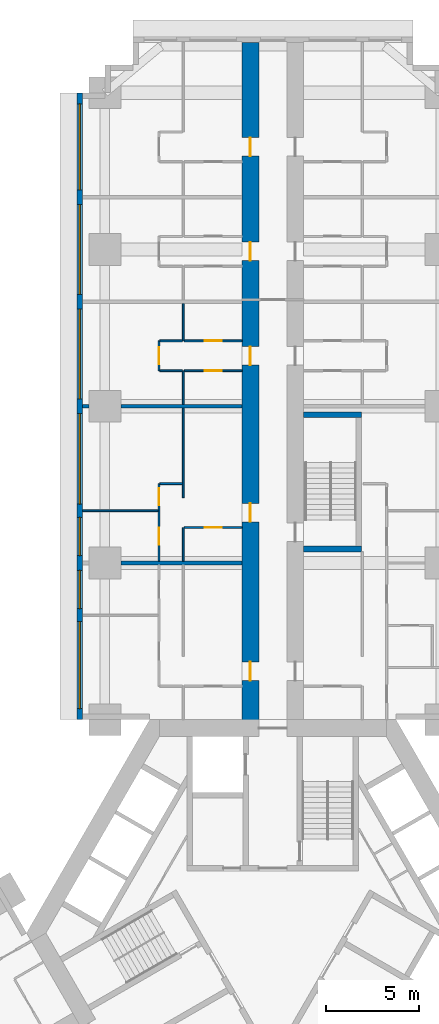
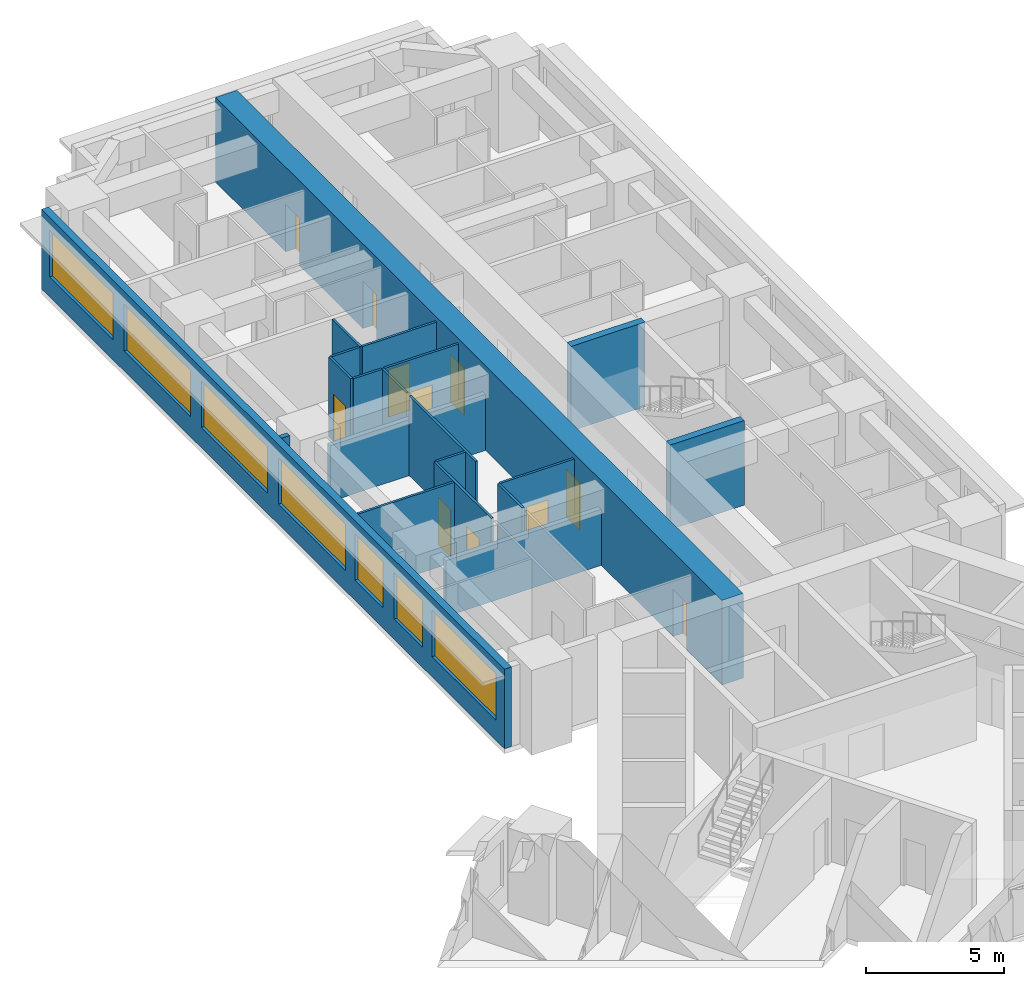
# One storey, part 9 of 16: 20 walls, 11 doors, 7 windows, 18 openings.
"""IFC4 building model written with IfcOpenShell, lengths in metres."""

from ifc_helpers import new_model, si_unit, direction, frame, frame_2d, origin, place, context, subcontext, project, spatial, rectangle, extrude, material, layer, layer_set, type_object, element, fill, save


model = new_model("IFC4")

# Units and contexts
model_context = context("Model", 3, precision=1e-05, world=origin(), true_north=direction((0.0, 1.0)))
body_context = subcontext(model_context, "Body", "Model", "MODEL_VIEW")
ifc_project = project(units=[si_unit("LENGTHUNIT", "METRE"), si_unit("AREAUNIT", "SQUARE_METRE"), si_unit("VOLUMEUNIT", "CUBIC_METRE"), si_unit("PLANEANGLEUNIT", "RADIAN"), si_unit("MASSUNIT", "GRAM", prefix="KILO")], contexts=[model_context])

# Site, building, storey
site_placement = place(None, origin())
site = spatial("IfcSite", under=ifc_project, at=site_placement, CompositionType="ELEMENT")
building_placement = place(site_placement, origin())
building = spatial("IfcBuilding", under=site, at=building_placement, Name="Impinga Residences", CompositionType="ELEMENT")
storey_placement = place(building_placement, frame((0.0, 0.0, 48.5)))
storey = spatial("IfcBuildingStorey", under=building, at=storey_placement, Name="L11", CompositionType="ELEMENT", Elevation=48.5)

# Wall, openings, doors
ifc_material_1 = material(Name="Concrete C70/85", Category="concrete")
ifc_layer_1 = layer(ifc_material_1, 0.89990234375)
ifc_layer_set_1 = layer_set([ifc_layer_1], Name="Concrete C70/85")
wall_type_1 = type_object("IfcWallType", Name="BW1 corridor buttress wall, L05 to L22 900", PredefinedType="SHEAR", material=ifc_layer_set_1)
wall_1_placement = place(storey_placement, frame((-1.199951171875, 10.9814453125, 0.0), z_axis=(0.0, 0.0, 1.0), x_axis=(0.0, 1.0, 0.0)))
wall_1 = element("IfcWall", 1, at=wall_1_placement, inside=storey, type_object=wall_type_1, Name="Corridor wall BW1 NC L11", PredefinedType="SHEAR", context=body_context, shape_type="SweptSolid", body=[
    extrude(rectangle(XDim=36.75, YDim=0.89990234375, at=frame_2d((18.375, 0.0))), origin(), (0.0, 0.0, 1.0), 3.75),
])
opening_1_placement = place(wall_1_placement, frame((2.550048828125, 0.0, 0.0)))
opening_1 = element("IfcOpeningElement", 2, at=opening_1_placement, cuts=wall_1, Name="Opening D1", PredefinedType="OPENING", context=body_context, shape_type="SweptSolid", body=[
    extrude(rectangle(XDim=1.0, YDim=2.10009765625, at=frame_2d((0.5, 1.050048828125))), frame((0.0, 0.4599609375, 0.0), z_axis=(0.0, -1.0, 0.0), x_axis=(1.0, 0.0, 0.0)), (0.0, 0.0, 1.0), 0.919921875),
])
opening_2_placement = place(wall_1_placement, frame((11.050048828125, 0.0, 0.0)))
opening_2 = element("IfcOpeningElement", 3, at=opening_2_placement, cuts=wall_1, Name="Opening D1", PredefinedType="OPENING", context=body_context, shape_type="SweptSolid", body=[
    extrude(rectangle(XDim=1.0, YDim=2.10009765625, at=frame_2d((0.5, 1.050048828125))), frame((0.0, 0.4599609375, 0.0), z_axis=(0.0, -1.0, 0.0), x_axis=(1.0, 0.0, 0.0)), (0.0, 0.0, 1.0), 0.919921875),
])
opening_3_placement = place(wall_1_placement, frame((19.449951171875, 0.0, 0.0)))
opening_3 = element("IfcOpeningElement", 4, at=opening_3_placement, cuts=wall_1, Name="Opening D1", PredefinedType="OPENING", context=body_context, shape_type="SweptSolid", body=[
    extrude(rectangle(XDim=1.0, YDim=2.10009765625, at=frame_2d((0.5, 1.050048828125))), frame((0.0, 0.4599609375, 0.0), z_axis=(0.0, -1.0, 0.0), x_axis=(1.0, 0.0, 0.0)), (0.0, 0.0, 1.0), 0.919921875),
])
opening_4_placement = place(wall_1_placement, frame((25.050048828125, 0.0, 0.0)))
opening_4 = element("IfcOpeningElement", 5, at=opening_4_placement, cuts=wall_1, Name="Opening D1", PredefinedType="OPENING", context=body_context, shape_type="SweptSolid", body=[
    extrude(rectangle(XDim=1.0, YDim=2.10009765625, at=frame_2d((0.5, 1.050048828125))), frame((0.0, 0.4599609375, 0.0), z_axis=(0.0, -1.0, 0.0), x_axis=(1.0, 0.0, 0.0)), (0.0, 0.0, 1.0), 0.919921875),
])
opening_5_placement = place(wall_1_placement, frame((30.64990234375, 0.0, 0.0)))
opening_5 = element("IfcOpeningElement", 6, at=opening_5_placement, cuts=wall_1, Name="Opening D1", PredefinedType="OPENING", context=body_context, shape_type="SweptSolid", body=[
    extrude(rectangle(XDim=1.0, YDim=2.10009765625, at=frame_2d((0.5, 1.050048828125))), frame((0.0, 0.4599609375, 0.0), z_axis=(0.0, -1.0, 0.0), x_axis=(1.0, 0.0, 0.0)), (0.0, 0.0, 1.0), 0.919921875),
])
ifc_material_2 = material(Name="Timber door set", Category="wood")
door_type_1 = type_object("IfcDoorType", Name="D1 apartment entrance door 1000x2100", OperationType="SINGLE_SWING_LEFT", PredefinedType="DOOR", material=ifc_material_2)
door_1_placement = place(opening_1_placement, origin())
door_1 = element("IfcDoor", 7, at=door_1_placement, inside=storey, type_object=door_type_1, Name="Apartment L11-NA1 entrance", OperationType="SINGLE_SWING_LEFT", OverallHeight=2.10009765625, OverallWidth=1.0, PredefinedType="DOOR", context=body_context, shape_type="SweptSolid", body=[
    extrude(rectangle(XDim=1.0, YDim=2.10009765625, at=frame_2d((0.5, 1.050048828125))), frame((0.0, 0.02490234375, 0.0), z_axis=(0.0, -1.0, 0.0), x_axis=(1.0, 0.0, 0.0)), (0.0, 0.0, 1.0), 0.050048828125),
])
fill(opening_1, door_1)
door_2_placement = place(opening_2_placement, origin())
door_2 = element("IfcDoor", 8, at=door_2_placement, inside=storey, type_object=door_type_1, Name="Apartment L11-NA2 entrance", OperationType="SINGLE_SWING_LEFT", OverallHeight=2.10009765625, OverallWidth=1.0, PredefinedType="DOOR", context=body_context, shape_type="SweptSolid", body=[
    extrude(rectangle(XDim=1.0, YDim=2.10009765625, at=frame_2d((0.5, 1.050048828125))), frame((0.0, 0.02490234375, 0.0), z_axis=(0.0, -1.0, 0.0), x_axis=(1.0, 0.0, 0.0)), (0.0, 0.0, 1.0), 0.050048828125),
])
fill(opening_2, door_2)
door_3_placement = place(opening_3_placement, origin())
door_3 = element("IfcDoor", 9, at=door_3_placement, inside=storey, type_object=door_type_1, Name="Apartment L11-NA3 entrance", OperationType="SINGLE_SWING_RIGHT", OverallHeight=2.10009765625, OverallWidth=1.0, PredefinedType="DOOR", context=body_context, shape_type="SweptSolid", body=[
    extrude(rectangle(XDim=1.0, YDim=2.10009765625, at=frame_2d((0.5, 1.050048828125))), frame((0.0, 0.02490234375, 0.0), z_axis=(0.0, -1.0, 0.0), x_axis=(1.0, 0.0, 0.0)), (0.0, 0.0, 1.0), 0.050048828125),
])
fill(opening_3, door_3)
door_4_placement = place(opening_4_placement, origin())
door_4 = element("IfcDoor", 10, at=door_4_placement, inside=storey, type_object=door_type_1, Name="Apartment L11-NA4 entrance", OperationType="SINGLE_SWING_RIGHT", OverallHeight=2.10009765625, OverallWidth=1.0, PredefinedType="DOOR", context=body_context, shape_type="SweptSolid", body=[
    extrude(rectangle(XDim=1.0, YDim=2.10009765625, at=frame_2d((0.5, 1.050048828125))), frame((0.0, 0.02490234375, 0.0), z_axis=(0.0, -1.0, 0.0), x_axis=(1.0, 0.0, 0.0)), (0.0, 0.0, 1.0), 0.050048828125),
])
fill(opening_4, door_4)
door_5_placement = place(opening_5_placement, origin())
door_5 = element("IfcDoor", 11, at=door_5_placement, inside=storey, type_object=door_type_1, Name="Apartment L11-NA5 entrance", OperationType="SINGLE_SWING_RIGHT", OverallHeight=2.10009765625, OverallWidth=1.0, PredefinedType="DOOR", context=body_context, shape_type="SweptSolid", body=[
    extrude(rectangle(XDim=1.0, YDim=2.10009765625, at=frame_2d((0.5, 1.050048828125))), frame((0.0, 0.02490234375, 0.0), z_axis=(0.0, -1.0, 0.0), x_axis=(1.0, 0.0, 0.0)), (0.0, 0.0, 1.0), 0.050048828125),
])
fill(opening_5, door_5)

# Wall, openings, windows
ifc_material_3 = material(Name="Terracotta rainscreen on blockwork", Category="masonry")
ifc_layer_2 = layer(ifc_material_3, 0.300048828125)
ifc_layer_set_2 = layer_set([ifc_layer_2], Name="EW1 external wall, terracotta rainscreen on blockwork 300")
wall_type_2 = type_object("IfcWallType", Name="EW1 external wall, terracotta rainscreen on blockwork 300", PredefinedType="SOLIDWALL", material=ifc_layer_set_2)
wall_2_placement = place(storey_placement, frame((-10.35009765625, 11.431640625, 0.0), z_axis=(0.0, 0.0, 1.0), x_axis=(0.0, 1.0, 0.0)))
wall_2 = element("IfcWall", 12, at=wall_2_placement, inside=storey, type_object=wall_type_2, Name="External wall EW1 L11", PredefinedType="SOLIDWALL", context=body_context, shape_type="SweptSolid", body=[
    extrude(rectangle(XDim=33.599853515625, YDim=0.300048828125, at=frame_2d((16.7998046875, 0.0))), origin(), (0.0, 0.0, 1.0), 3.530029296875),
])
opening_6_placement = place(wall_2_placement, frame((0.60009765625, 0.0, 0.89990234375)))
opening_6 = element("IfcOpeningElement", 13, at=opening_6_placement, cuts=wall_2, Name="Opening W10", PredefinedType="OPENING", context=body_context, shape_type="SweptSolid", body=[
    extrude(rectangle(XDim=4.64990234375, YDim=2.050048828125, at=frame_2d((2.324951171875, 1.02490234375))), frame((0.0, 0.159912109375, 0.0), z_axis=(0.0, -1.0, 0.0), x_axis=(1.0, 0.0, 0.0)), (0.0, 0.0, 1.0), 0.320068359375),
])
opening_7_placement = place(wall_2_placement, frame((5.949951171875, 0.0, 0.89990234375)))
opening_7 = element("IfcOpeningElement", 14, at=opening_7_placement, cuts=wall_2, Name="Opening W14", PredefinedType="OPENING", context=body_context, shape_type="SweptSolid", body=[
    extrude(rectangle(XDim=2.050048828125, YDim=2.050048828125, at=frame_2d((1.02490234375, 1.02490234375))), frame((0.0, 0.159912109375, 0.0), z_axis=(0.0, -1.0, 0.0), x_axis=(1.0, 0.0, 0.0)), (0.0, 0.0, 1.0), 0.320068359375),
])
opening_8_placement = place(wall_2_placement, frame((8.800048828125, 0.0, 0.89990234375)))
opening_8 = element("IfcOpeningElement", 15, at=opening_8_placement, cuts=wall_2, Name="Opening W14", PredefinedType="OPENING", context=body_context, shape_type="SweptSolid", body=[
    extrude(rectangle(XDim=2.050048828125, YDim=2.050048828125, at=frame_2d((1.02490234375, 1.02490234375))), frame((0.0, 0.159912109375, 0.0), z_axis=(0.0, -1.0, 0.0), x_axis=(1.0, 0.0, 0.0)), (0.0, 0.0, 1.0), 0.320068359375),
])
opening_9_placement = place(wall_2_placement, frame((11.550048828125, 0.0, 0.89990234375)))
opening_9 = element("IfcOpeningElement", 16, at=opening_9_placement, cuts=wall_2, Name="Opening W6", PredefinedType="OPENING", context=body_context, shape_type="SweptSolid", body=[
    extrude(rectangle(XDim=4.85009765625, YDim=2.050048828125, at=frame_2d((2.425048828125, 1.02490234375))), frame((0.0, 0.159912109375, 0.0), z_axis=(0.0, -1.0, 0.0), x_axis=(1.0, 0.0, 0.0)), (0.0, 0.0, 1.0), 0.320068359375),
])
opening_10_placement = place(wall_2_placement, frame((17.199951171875, 0.0, 0.89990234375)))
opening_10 = element("IfcOpeningElement", 17, at=opening_10_placement, cuts=wall_2, Name="Opening W8", PredefinedType="OPENING", context=body_context, shape_type="SweptSolid", body=[
    extrude(rectangle(XDim=4.800048828125, YDim=2.050048828125, at=frame_2d((2.39990234375, 1.02490234375))), frame((0.0, 0.159912109375, 0.0), z_axis=(0.0, -1.0, 0.0), x_axis=(1.0, 0.0, 0.0)), (0.0, 0.0, 1.0), 0.320068359375),
])
opening_11_placement = place(wall_2_placement, frame((22.800048828125, 0.0, 0.89990234375)))
opening_11 = element("IfcOpeningElement", 18, at=opening_11_placement, cuts=wall_2, Name="Opening W8", PredefinedType="OPENING", context=body_context, shape_type="SweptSolid", body=[
    extrude(rectangle(XDim=4.800048828125, YDim=2.050048828125, at=frame_2d((2.39990234375, 1.02490234375))), frame((0.0, 0.159912109375, 0.0), z_axis=(0.0, -1.0, 0.0), x_axis=(1.0, 0.0, 0.0)), (0.0, 0.0, 1.0), 0.320068359375),
])
opening_12_placement = place(wall_2_placement, frame((28.39990234375, 0.0, 0.89990234375)))
opening_12 = element("IfcOpeningElement", 19, at=opening_12_placement, cuts=wall_2, Name="Opening W3", PredefinedType="OPENING", context=body_context, shape_type="SweptSolid", body=[
    extrude(rectangle(XDim=4.60009765625, YDim=2.050048828125, at=frame_2d((2.300048828125, 1.02490234375))), frame((0.0, 0.159912109375, 0.0), z_axis=(0.0, -1.0, 0.0), x_axis=(1.0, 0.0, 0.0)), (0.0, 0.0, 1.0), 0.320068359375),
])
ifc_material_4 = material(Name="Aluminium window, clear double glazing", Category="aluminium")
window_type_1 = type_object("IfcWindowType", Name="W10 ribbon window 4650x2050", PartitioningType="SINGLE_PANEL", PredefinedType="WINDOW", material=ifc_material_4)
window_1_placement = place(opening_6_placement, origin())
window_1 = element("IfcWindow", 20, at=window_1_placement, inside=storey, type_object=window_type_1, Name="Window L11", OverallHeight=2.050048828125, OverallWidth=4.64990234375, PartitioningType="SINGLE_PANEL", PredefinedType="WINDOW", context=body_context, shape_type="SweptSolid", body=[
    extrude(rectangle(XDim=4.64990234375, YDim=2.050048828125, at=frame_2d((2.324951171875, 1.02490234375))), frame((0.0, 0.030029296875, 0.0), z_axis=(0.0, -1.0, 0.0), x_axis=(1.0, 0.0, 0.0)), (0.0, 0.0, 1.0), 0.06005859375),
])
fill(opening_6, window_1)
window_type_2 = type_object("IfcWindowType", Name="W14 ribbon window 2050x2050", PartitioningType="SINGLE_PANEL", PredefinedType="WINDOW", material=ifc_material_4)
window_2_placement = place(opening_7_placement, origin())
window_2 = element("IfcWindow", 21, at=window_2_placement, inside=storey, type_object=window_type_2, Name="Window L11", OverallHeight=2.050048828125, OverallWidth=2.050048828125, PartitioningType="SINGLE_PANEL", PredefinedType="WINDOW", context=body_context, shape_type="SweptSolid", body=[
    extrude(rectangle(XDim=2.050048828125, YDim=2.050048828125, at=frame_2d((1.02490234375, 1.02490234375))), frame((0.0, 0.030029296875, 0.0), z_axis=(0.0, -1.0, 0.0), x_axis=(1.0, 0.0, 0.0)), (0.0, 0.0, 1.0), 0.06005859375),
])
fill(opening_7, window_2)
window_3_placement = place(opening_8_placement, origin())
window_3 = element("IfcWindow", 22, at=window_3_placement, inside=storey, type_object=window_type_2, Name="Window L11", OverallHeight=2.050048828125, OverallWidth=2.050048828125, PartitioningType="SINGLE_PANEL", PredefinedType="WINDOW", context=body_context, shape_type="SweptSolid", body=[
    extrude(rectangle(XDim=2.050048828125, YDim=2.050048828125, at=frame_2d((1.02490234375, 1.02490234375))), frame((0.0, 0.030029296875, 0.0), z_axis=(0.0, -1.0, 0.0), x_axis=(1.0, 0.0, 0.0)), (0.0, 0.0, 1.0), 0.06005859375),
])
fill(opening_8, window_3)
window_type_3 = type_object("IfcWindowType", Name="W3 ribbon window 4600x2050", PartitioningType="SINGLE_PANEL", PredefinedType="WINDOW", material=ifc_material_4)
window_4_placement = place(opening_12_placement, origin())
window_4 = element("IfcWindow", 23, at=window_4_placement, inside=storey, type_object=window_type_3, Name="Window L11", OverallHeight=2.050048828125, OverallWidth=4.60009765625, PartitioningType="SINGLE_PANEL", PredefinedType="WINDOW", context=body_context, shape_type="SweptSolid", body=[
    extrude(rectangle(XDim=4.60009765625, YDim=2.050048828125, at=frame_2d((2.300048828125, 1.02490234375))), frame((0.0, 0.030029296875, 0.0), z_axis=(0.0, -1.0, 0.0), x_axis=(1.0, 0.0, 0.0)), (0.0, 0.0, 1.0), 0.06005859375),
])
fill(opening_12, window_4)
window_type_4 = type_object("IfcWindowType", Name="W6 ribbon window 4850x2050", PartitioningType="SINGLE_PANEL", PredefinedType="WINDOW", material=ifc_material_4)
window_5_placement = place(opening_9_placement, origin())
window_5 = element("IfcWindow", 24, at=window_5_placement, inside=storey, type_object=window_type_4, Name="Window L11", OverallHeight=2.050048828125, OverallWidth=4.85009765625, PartitioningType="SINGLE_PANEL", PredefinedType="WINDOW", context=body_context, shape_type="SweptSolid", body=[
    extrude(rectangle(XDim=4.85009765625, YDim=2.050048828125, at=frame_2d((2.425048828125, 1.02490234375))), frame((0.0, 0.030029296875, 0.0), z_axis=(0.0, -1.0, 0.0), x_axis=(1.0, 0.0, 0.0)), (0.0, 0.0, 1.0), 0.06005859375),
])
fill(opening_9, window_5)
window_type_5 = type_object("IfcWindowType", Name="W8 ribbon window 4800x2050", PartitioningType="SINGLE_PANEL", PredefinedType="WINDOW", material=ifc_material_4)
window_6_placement = place(opening_10_placement, origin())
window_6 = element("IfcWindow", 25, at=window_6_placement, inside=storey, type_object=window_type_5, Name="Window L11", OverallHeight=2.050048828125, OverallWidth=4.800048828125, PartitioningType="SINGLE_PANEL", PredefinedType="WINDOW", context=body_context, shape_type="SweptSolid", body=[
    extrude(rectangle(XDim=4.800048828125, YDim=2.050048828125, at=frame_2d((2.39990234375, 1.02490234375))), frame((0.0, 0.030029296875, 0.0), z_axis=(0.0, -1.0, 0.0), x_axis=(1.0, 0.0, 0.0)), (0.0, 0.0, 1.0), 0.06005859375),
])
fill(opening_10, window_6)
window_7_placement = place(opening_11_placement, origin())
window_7 = element("IfcWindow", 26, at=window_7_placement, inside=storey, type_object=window_type_5, Name="Window L11", OverallHeight=2.050048828125, OverallWidth=4.800048828125, PartitioningType="SINGLE_PANEL", PredefinedType="WINDOW", context=body_context, shape_type="SweptSolid", body=[
    extrude(rectangle(XDim=4.800048828125, YDim=2.050048828125, at=frame_2d((2.39990234375, 1.02490234375))), frame((0.0, 0.030029296875, 0.0), z_axis=(0.0, -1.0, 0.0), x_axis=(1.0, 0.0, 0.0)), (0.0, 0.0, 1.0), 0.06005859375),
])
fill(opening_11, window_7)

# Walls
ifc_material_5 = material(Name="Gypsum board on steel studs", Category="steel")
ifc_layer_3 = layer(ifc_material_5, 0.10009765625)
ifc_layer_set_3 = layer_set([ifc_layer_3], Name="Gypsum board on steel studs")
wall_type_3 = type_object("IfcWallType", Name="IP1 partition 100", PredefinedType="PARTITIONING", material=ifc_layer_set_3)
wall_3_placement = place(storey_placement, frame((-4.800048828125, 19.931640625, 0.0), z_axis=(0.0, 0.0, 1.0), x_axis=(0.0, 1.0, 0.0)))
element("IfcWall", 27, at=wall_3_placement, inside=storey, type_object=wall_type_3, Name="Partition L11-NA2:DIV0", PredefinedType="PARTITIONING", context=body_context, shape_type="SweptSolid", body=[
    extrude(rectangle(XDim=1.7998046875, YDim=0.10009765625, at=frame_2d((0.89990234375, 0.0))), origin(), (0.0, 0.0, 1.0), 3.530029296875),
])
wall_4_placement = place(storey_placement, frame((-4.800048828125, 23.33154296875, 0.0), z_axis=(0.0, 0.0, 1.0), x_axis=(0.0, 1.0, 0.0)))
element("IfcWall", 28, at=wall_4_placement, inside=storey, type_object=wall_type_3, Name="Partition L11-NA2:DIV1", PredefinedType="PARTITIONING", context=body_context, shape_type="SweptSolid", body=[
    extrude(rectangle(XDim=4.800048828125, YDim=0.10009765625, at=frame_2d((2.39990234375, 0.0))), origin(), (0.0, 0.0, 1.0), 3.530029296875),
])

# Wall, openings, doors
wall_5_placement = place(storey_placement, frame((-6.10009765625, 19.931640625, 0.0), z_axis=(0.0, 0.0, 1.0), x_axis=(0.0, 1.0, 0.0)))
wall_5 = element("IfcWall", 29, at=wall_5_placement, inside=storey, type_object=wall_type_3, Name="Partition L11-NA2:STRIP", PredefinedType="PARTITIONING", context=body_context, shape_type="SweptSolid", body=[
    extrude(rectangle(XDim=4.14990234375, YDim=0.10009765625, at=frame_2d((2.074951171875, 0.0))), origin(), (0.0, 0.0, 1.0), 3.530029296875),
])
opening_13_placement = place(wall_5_placement, frame((0.875, 0.0, 0.0)))
opening_13 = element("IfcOpeningElement", 30, at=opening_13_placement, cuts=wall_5, Name="Opening D2", PredefinedType="OPENING", context=body_context, shape_type="SweptSolid", body=[
    extrude(rectangle(XDim=0.89990234375, YDim=2.10009765625, at=frame_2d((0.449951171875, 1.050048828125))), frame((0.0, 0.06005859375, 0.0), z_axis=(0.0, -1.0, 0.0), x_axis=(1.0, 0.0, 0.0)), (0.0, 0.0, 1.0), 0.1201171875),
])
opening_14_placement = place(wall_5_placement, frame((3.0, 0.0, 0.0)))
opening_14 = element("IfcOpeningElement", 31, at=opening_14_placement, cuts=wall_5, Name="Opening D2", PredefinedType="OPENING", context=body_context, shape_type="SweptSolid", body=[
    extrude(rectangle(XDim=0.89990234375, YDim=2.10009765625, at=frame_2d((0.449951171875, 1.050048828125))), frame((0.0, 0.06005859375, 0.0), z_axis=(0.0, -1.0, 0.0), x_axis=(1.0, 0.0, 0.0)), (0.0, 0.0, 1.0), 0.1201171875),
])
door_type_2 = type_object("IfcDoorType", Name="D2 internal door 900x2100", OperationType="SINGLE_SWING_LEFT", PredefinedType="DOOR", material=ifc_material_2)
door_6_placement = place(opening_13_placement, origin())
door_6 = element("IfcDoor", 32, at=door_6_placement, inside=storey, type_object=door_type_2, Name="Apartment L11-NA2 room door", OperationType="SINGLE_SWING_LEFT", OverallHeight=2.10009765625, OverallWidth=0.89990234375, PredefinedType="DOOR", context=body_context, shape_type="SweptSolid", body=[
    extrude(rectangle(XDim=0.89990234375, YDim=2.10009765625, at=frame_2d((0.449951171875, 1.050048828125))), frame((0.0, 0.02490234375, 0.0), z_axis=(0.0, -1.0, 0.0), x_axis=(1.0, 0.0, 0.0)), (0.0, 0.0, 1.0), 0.050048828125),
])
fill(opening_13, door_6)
door_7_placement = place(opening_14_placement, origin())
door_7 = element("IfcDoor", 33, at=door_7_placement, inside=storey, type_object=door_type_2, Name="Apartment L11-NA2 room door", OperationType="SINGLE_SWING_RIGHT", OverallHeight=2.10009765625, OverallWidth=0.89990234375, PredefinedType="DOOR", context=body_context, shape_type="SweptSolid", body=[
    extrude(rectangle(XDim=0.89990234375, YDim=2.10009765625, at=frame_2d((0.449951171875, 1.050048828125))), frame((0.0, 0.02490234375, 0.0), z_axis=(0.0, -1.0, 0.0), x_axis=(1.0, 0.0, 0.0)), (0.0, 0.0, 1.0), 0.050048828125),
])
fill(opening_14, door_7)

# Wall
wall_6_placement = place(storey_placement, frame((-4.85009765625, 24.08154296875, 0.0), z_axis=(0.0, 0.0, 1.0), x_axis=(-1.0, 0.0, 0.0)))
element("IfcWall", 34, at=wall_6_placement, inside=storey, type_object=wall_type_3, Name="Partition L11-NA2:SE1", PredefinedType="PARTITIONING", context=body_context, shape_type="SweptSolid", body=[
    extrude(rectangle(XDim=1.199951171875, YDim=0.10009765625, at=frame_2d((0.60009765625, 0.0))), origin(), (0.0, 0.0, 1.0), 3.530029296875),
])

# Wall, opening, door
wall_7_placement = place(storey_placement, frame((-1.64990234375, 21.7314453125, 0.0), z_axis=(0.0, 0.0, 1.0), x_axis=(-1.0, 0.0, 0.0)))
wall_7 = element("IfcWall", 35, at=wall_7_placement, inside=storey, type_object=wall_type_3, Name="Partition L11-NA2:IB1", PredefinedType="PARTITIONING", context=body_context, shape_type="SweptSolid", body=[
    extrude(rectangle(XDim=3.10009765625, YDim=0.10009765625, at=frame_2d((1.550048828125, 0.0))), origin(), (0.0, 0.0, 1.0), 3.530029296875),
])
opening_15_placement = place(wall_7_placement, frame((1.10009765625, 0.0, 0.0)))
opening_15 = element("IfcOpeningElement", 36, at=opening_15_placement, cuts=wall_7, Name="Opening D2", PredefinedType="OPENING", context=body_context, shape_type="SweptSolid", body=[
    extrude(rectangle(XDim=0.89990234375, YDim=2.10009765625, at=frame_2d((0.449951171875, 1.050048828125))), frame((0.0, 0.06005859375, 0.0), z_axis=(0.0, -1.0, 0.0), x_axis=(1.0, 0.0, 0.0)), (0.0, 0.0, 1.0), 0.1201171875),
])
door_8_placement = place(opening_15_placement, origin())
door_8 = element("IfcDoor", 37, at=door_8_placement, inside=storey, type_object=door_type_2, Name="Apartment L11-NA2 bathroom door", OperationType="SINGLE_SWING_LEFT", OverallHeight=2.10009765625, OverallWidth=0.89990234375, PredefinedType="DOOR", context=body_context, shape_type="SweptSolid", body=[
    extrude(rectangle(XDim=0.89990234375, YDim=2.10009765625, at=frame_2d((0.449951171875, 1.050048828125))), frame((0.0, 0.02490234375, 0.0), z_axis=(0.0, -1.0, 0.0), x_axis=(1.0, 0.0, 0.0)), (0.0, 0.0, 1.0), 0.050048828125),
])
fill(opening_15, door_8)

# Walls
wall_8_placement = place(storey_placement, frame((-6.14990234375, 22.631591796875, 0.0), z_axis=(0.0, 0.0, 1.0), x_axis=(-1.0, 0.0, 0.0)))
element("IfcWall", 38, at=wall_8_placement, inside=storey, type_object=wall_type_3, Name="Partition L11-NA2:OB1", PredefinedType="PARTITIONING", context=body_context, shape_type="SweptSolid", body=[
    extrude(rectangle(XDim=4.050048828125, YDim=0.10009765625, at=frame_2d((2.02490234375, 0.0))), origin(), (0.0, 0.0, 1.0), 3.530029296875),
])
wall_9_placement = place(storey_placement, frame((-4.800048828125, 28.33154296875, 0.0), z_axis=(0.0, 0.0, 1.0), x_axis=(0.0, 1.0, 0.0)))
element("IfcWall", 39, at=wall_9_placement, inside=storey, type_object=wall_type_3, Name="Partition L11-NA3:DIV0", PredefinedType="PARTITIONING", context=body_context, shape_type="SweptSolid", body=[
    extrude(rectangle(XDim=1.800048828125, YDim=0.10009765625, at=frame_2d((0.89990234375, 0.0))), origin(), (0.0, 0.0, 1.0), 3.530029296875),
])
wall_10_placement = place(storey_placement, frame((-4.800048828125, 31.7314453125, 0.0), z_axis=(0.0, 0.0, 1.0), x_axis=(0.0, 1.0, 0.0)))
element("IfcWall", 40, at=wall_10_placement, inside=storey, type_object=wall_type_3, Name="Partition L11-NA3:DIV1", PredefinedType="PARTITIONING", context=body_context, shape_type="SweptSolid", body=[
    extrude(rectangle(XDim=2.0, YDim=0.10009765625, at=frame_2d((1.0, 0.0))), origin(), (0.0, 0.0, 1.0), 3.530029296875),
])

# Wall, opening, door
wall_11_placement = place(storey_placement, frame((-6.10009765625, 30.131591796875, 0.0), z_axis=(0.0, 0.0, 1.0), x_axis=(0.0, 1.0, 0.0)))
wall_11 = element("IfcWall", 41, at=wall_11_placement, inside=storey, type_object=wall_type_3, Name="Partition L11-NA3:STRIP", PredefinedType="PARTITIONING", context=body_context, shape_type="SweptSolid", body=[
    extrude(rectangle(XDim=1.599853515625, YDim=0.10009765625, at=frame_2d((0.7998046875, 0.0))), origin(), (0.0, 0.0, 1.0), 3.530029296875),
])
opening_16_placement = place(wall_11_placement, frame((0.35009765625, 0.0, 0.0)))
opening_16 = element("IfcOpeningElement", 42, at=opening_16_placement, cuts=wall_11, Name="Opening D2", PredefinedType="OPENING", context=body_context, shape_type="SweptSolid", body=[
    extrude(rectangle(XDim=0.89990234375, YDim=2.10009765625, at=frame_2d((0.449951171875, 1.050048828125))), frame((0.0, 0.06005859375, 0.0), z_axis=(0.0, -1.0, 0.0), x_axis=(1.0, 0.0, 0.0)), (0.0, 0.0, 1.0), 0.1201171875),
])
door_9_placement = place(opening_16_placement, origin())
door_9 = element("IfcDoor", 43, at=door_9_placement, inside=storey, type_object=door_type_2, Name="Apartment L11-NA3 room door", OperationType="SINGLE_SWING_LEFT", OverallHeight=2.10009765625, OverallWidth=0.89990234375, PredefinedType="DOOR", context=body_context, shape_type="SweptSolid", body=[
    extrude(rectangle(XDim=0.89990234375, YDim=2.10009765625, at=frame_2d((0.449951171875, 1.050048828125))), frame((0.0, 0.02490234375, 0.0), z_axis=(0.0, -1.0, 0.0), x_axis=(1.0, 0.0, 0.0)), (0.0, 0.0, 1.0), 0.050048828125),
])
fill(opening_16, door_9)

# Walls
for number, where, z_axis, x_axis, name in (
    (44, (-4.85009765625, 30.131591796875, 0.0), (0.0, 0.0, 1.0), (-1.0, 0.0, 0.0), "Partition L11-NA3:SE0"),
    (45, (-4.85009765625, 31.7314453125, 0.0), (0.0, 0.0, 1.0), (-1.0, 0.0, 0.0), "Partition L11-NA3:SE1"),
):
    element("IfcWall", number, at=place(storey_placement, frame(where, z_axis=z_axis, x_axis=x_axis)), inside=storey, type_object=wall_type_3, Name=name, PredefinedType="PARTITIONING", context=body_context, shape_type="SweptSolid", body=[
        extrude(rectangle(XDim=1.199951171875, YDim=0.10009765625, at=frame_2d((0.60009765625, 0.0))), origin(), (0.0, 0.0, 1.0), 3.530029296875),
    ])

# Wall, opening, door
wall_12_placement = place(storey_placement, frame((-1.64990234375, 30.131591796875, 0.0), z_axis=(0.0, 0.0, 1.0), x_axis=(-1.0, 0.0, 0.0)))
wall_12 = element("IfcWall", 46, at=wall_12_placement, inside=storey, type_object=wall_type_3, Name="Partition L11-NA3:IB1", PredefinedType="PARTITIONING", context=body_context, shape_type="SweptSolid", body=[
    extrude(rectangle(XDim=3.10009765625, YDim=0.10009765625, at=frame_2d((1.550048828125, 0.0))), origin(), (0.0, 0.0, 1.0), 3.530029296875),
])
opening_17_placement = place(wall_12_placement, frame((1.10009765625, 0.0, 0.0)))
opening_17 = element("IfcOpeningElement", 47, at=opening_17_placement, cuts=wall_12, Name="Opening D2", PredefinedType="OPENING", context=body_context, shape_type="SweptSolid", body=[
    extrude(rectangle(XDim=0.89990234375, YDim=2.10009765625, at=frame_2d((0.449951171875, 1.050048828125))), frame((0.0, 0.06005859375, 0.0), z_axis=(0.0, -1.0, 0.0), x_axis=(1.0, 0.0, 0.0)), (0.0, 0.0, 1.0), 0.1201171875),
])
door_10_placement = place(opening_17_placement, origin())
door_10 = element("IfcDoor", 48, at=door_10_placement, inside=storey, type_object=door_type_2, Name="Apartment L11-NA3 bathroom door", OperationType="SINGLE_SWING_LEFT", OverallHeight=2.10009765625, OverallWidth=0.89990234375, PredefinedType="DOOR", context=body_context, shape_type="SweptSolid", body=[
    extrude(rectangle(XDim=0.89990234375, YDim=2.10009765625, at=frame_2d((0.449951171875, 1.050048828125))), frame((0.0, 0.02490234375, 0.0), z_axis=(0.0, -1.0, 0.0), x_axis=(1.0, 0.0, 0.0)), (0.0, 0.0, 1.0), 0.050048828125),
])
fill(opening_17, door_10)

wall_13_placement = place(storey_placement, frame((-1.64990234375, 31.7314453125, 0.0), z_axis=(0.0, 0.0, 1.0), x_axis=(-1.0, 0.0, 0.0)))
wall_13 = element("IfcWall", 49, at=wall_13_placement, inside=storey, type_object=wall_type_3, Name="Partition L11-NA3:IB2", PredefinedType="PARTITIONING", context=body_context, shape_type="SweptSolid", body=[
    extrude(rectangle(XDim=3.10009765625, YDim=0.10009765625, at=frame_2d((1.550048828125, 0.0))), origin(), (0.0, 0.0, 1.0), 3.530029296875),
])
opening_18_placement = place(wall_13_placement, frame((1.10009765625, 0.0, 0.0)))
opening_18 = element("IfcOpeningElement", 50, at=opening_18_placement, cuts=wall_13, Name="Opening D2", PredefinedType="OPENING", context=body_context, shape_type="SweptSolid", body=[
    extrude(rectangle(XDim=0.89990234375, YDim=2.10009765625, at=frame_2d((0.449951171875, 1.050048828125))), frame((0.0, 0.06005859375, 0.0), z_axis=(0.0, -1.0, 0.0), x_axis=(1.0, 0.0, 0.0)), (0.0, 0.0, 1.0), 0.1201171875),
])
door_11_placement = place(opening_18_placement, origin())
door_11 = element("IfcDoor", 51, at=door_11_placement, inside=storey, type_object=door_type_2, Name="Apartment L11-NA3 WC door", OperationType="SINGLE_SWING_LEFT", OverallHeight=2.10009765625, OverallWidth=0.89990234375, PredefinedType="DOOR", context=body_context, shape_type="SweptSolid", body=[
    extrude(rectangle(XDim=0.89990234375, YDim=2.10009765625, at=frame_2d((0.449951171875, 1.050048828125))), frame((0.0, 0.02490234375, 0.0), z_axis=(0.0, -1.0, 0.0), x_axis=(1.0, 0.0, 0.0)), (0.0, 0.0, 1.0), 0.050048828125),
])
fill(opening_18, door_11)

# Walls
ifc_material_6 = material(Name="Concrete blockwork", Category="masonry")
ifc_layer_4 = layer(ifc_material_6, 0.199951171875)
ifc_layer_set_4 = layer_set([ifc_layer_4], Name="PW1 party wall between apartments 200")
wall_type_4 = type_object("IfcWallType", Name="PW1 party wall between apartments 200", PredefinedType="SOLIDWALL", material=ifc_layer_set_4)
for number, where, z_axis, x_axis, name in (
    (52, (-1.64990234375, 19.83154296875, 0.0), (0.0, 0.0, 1.0), (-1.0, 0.0, 0.0), "Party wall between apartments L11-NA1:PARTY"),
    (53, (-1.64990234375, 28.2314453125, 0.0), (0.0, 0.0, 1.0), (-1.0, 0.0, 0.0), "Party wall between apartments L11-NA2:PARTY"),
):
    element("IfcWall", number, at=place(storey_placement, frame(where, z_axis=z_axis, x_axis=x_axis)), inside=storey, type_object=wall_type_4, Name=name, PredefinedType="SOLIDWALL", context=body_context, shape_type="SweptSolid", body=[
        extrude(rectangle(XDim=6.5, YDim=0.199951171875, at=frame_2d((3.25, 0.0))), origin(), (0.0, 0.0, 1.0), 2.47998046875),
    ])
wall_14_placement = place(storey_placement, frame((-9.85009765625, 28.2314453125, 0.0), z_axis=(0.0, 0.0, 1.0), x_axis=(-1.0, 0.0, 0.0)))
element("IfcWall", 54, at=wall_14_placement, inside=storey, type_object=wall_type_4, Name="Party wall between apartments L11-NA2:PARTYb", PredefinedType="SOLIDWALL", context=body_context, shape_type="SweptSolid", body=[
    extrude(rectangle(XDim=0.349853515625, YDim=0.199951171875, at=frame_2d((0.1748046875, 0.0))), origin(), (0.0, 0.0, 1.0), 3.530029296875),
])
ifc_material_7 = material(Name="Concrete C60/75", Category="concrete")
ifc_layer_5 = layer(ifc_material_7, 0.300048828125)
ifc_layer_set_5 = layer_set([ifc_layer_5], Name="Concrete C60/75")
wall_type_5 = type_object("IfcWallType", Name="SE1 wing stair enclosure wall 300", PredefinedType="SOLIDWALL", material=ifc_layer_set_5)
for number, where, z_axis, x_axis, name in (
    (55, (1.64990234375, 20.58154296875, 0.0), (0.0, 0.0, 1.0), (1.0, 0.0, 0.0), "Stair enclosure wall SE1 N END0 L11"),
    (56, (1.64990234375, 27.781494140625, 0.0), (0.0, 0.0, 1.0), (1.0, 0.0, 0.0), "Stair enclosure wall SE1 N END1 L11"),
):
    element("IfcWall", number, at=place(storey_placement, frame(where, z_axis=z_axis, x_axis=x_axis)), inside=storey, type_object=wall_type_5, Name=name, PredefinedType="SOLIDWALL", context=body_context, shape_type="SweptSolid", body=[
        extrude(rectangle(XDim=3.10009765625, YDim=0.300048828125, at=frame_2d((1.550048828125, 0.0))), origin(), (0.0, 0.0, 1.0), 3.75),
    ])

save(model, "model.ifc")
